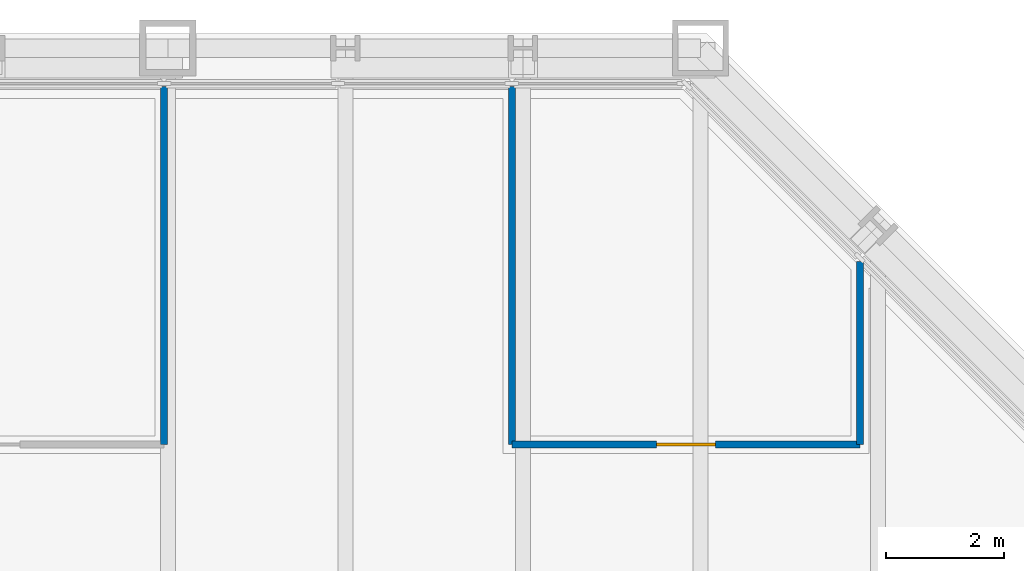
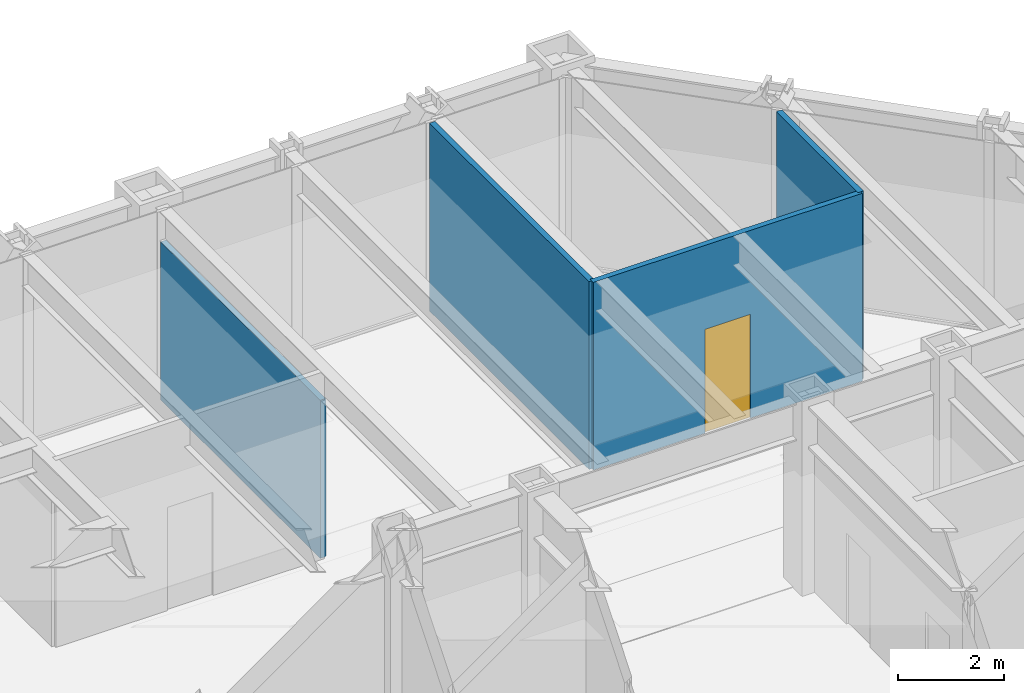
# One storey, part 12 of 26: 4 walls, 1 door, 1 opening.
"""IFC4 building model written with IfcOpenShell, lengths in metres."""

from ifc_helpers import new_model, si_unit, direction, frame, frame_2d, origin, place, context, subcontext, project, spatial, rectangle, extrude, material, layer, layer_set, type_object, element, fill, save


model = new_model("IFC4")

# Units and contexts
model_context = context("Model", 3, precision=1e-05, world=origin(), true_north=direction((0.0, 1.0)))
body_context = subcontext(model_context, "Body", "Model", "MODEL_VIEW")
ifc_project = project(units=[si_unit("LENGTHUNIT", "METRE"), si_unit("AREAUNIT", "SQUARE_METRE"), si_unit("VOLUMEUNIT", "CUBIC_METRE"), si_unit("PLANEANGLEUNIT", "RADIAN"), si_unit("MASSUNIT", "GRAM", prefix="KILO")], contexts=[model_context])

# Site, building, storey
site_placement = place(None, origin())
site = spatial("IfcSite", under=ifc_project, at=site_placement, CompositionType="ELEMENT")
building_placement = place(site_placement, origin())
building = spatial("IfcBuilding", under=site, at=building_placement, Name="Chuquiago Exchange Tower", CompositionType="ELEMENT")
storey_placement = place(building_placement, frame((0.0, 0.0, 102.300048828125)))
storey = spatial("IfcBuildingStorey", under=building, at=storey_placement, Name="L21", CompositionType="ELEMENT", Elevation=102.300048828125)

# Walls
ifc_material_1 = material(Name="Gypsum board on steel studs", Category="steel")
ifc_layer = layer(ifc_material_1, 0.1201171875)
ifc_layer_set = layer_set([ifc_layer], Name="W4 partition 120")
wall_type = type_object("IfcWallType", Name="W4 partition 120", PredefinedType="PARTITIONING", material=ifc_layer_set)
wall_1_placement = place(storey_placement, frame((17.93798828125, 44.347412109375, 0.0), z_axis=(0.0, 0.0, 1.0), x_axis=(0.0, -1.0, 0.0)))
element("IfcWall", 1, at=wall_1_placement, inside=storey, type_object=wall_type, Name="PW-L21-N01794", PredefinedType="PARTITIONING", context=body_context, shape_type="SweptSolid", body=[
    extrude(rectangle(XDim=6.04736328125, YDim=0.1201171875, at=frame_2d((3.023681640625, 0.0))), origin(), (0.0, 0.0, 1.0), 3.65673828125),
])
wall_2_placement = place(storey_placement, frame((23.813720703125, 44.347412109375, 0.0), z_axis=(0.0, 0.0, 1.0), x_axis=(0.0, -1.0, 0.0)))
element("IfcWall", 2, at=wall_2_placement, inside=storey, type_object=wall_type, Name="PW-L21-N02381", PredefinedType="PARTITIONING", context=body_context, shape_type="SweptSolid", body=[
    extrude(rectangle(XDim=6.04736328125, YDim=0.1201171875, at=frame_2d((3.023681640625, 0.0))), origin(), (0.0, 0.0, 1.0), 4.33984375),
])
wall_3_placement = place(storey_placement, frame((29.69287109375, 41.392578125, 0.0), z_axis=(0.0, 0.0, 1.0), x_axis=(0.0, -1.0, 0.0)))
element("IfcWall", 3, at=wall_3_placement, inside=storey, type_object=wall_type, Name="PW-L21-N02969", PredefinedType="PARTITIONING", context=body_context, shape_type="SweptSolid", body=[
    extrude(rectangle(XDim=3.092529296875, YDim=0.1201171875, at=frame_2d((1.54638671875, 0.0))), origin(), (0.0, 0.0, 1.0), 4.33984375),
])

# Wall, opening, door
wall_4_placement = place(storey_placement, frame((23.813720703125, 38.300048828125, 0.0), z_axis=(0.0, 0.0, 1.0), x_axis=(1.0, 0.0, 0.0)))
wall_4 = element("IfcWall", 4, at=wall_4_placement, inside=storey, type_object=wall_type, Name="PW-L21-NF02381", PredefinedType="PARTITIONING", context=body_context, shape_type="SweptSolid", body=[
    extrude(rectangle(XDim=5.879150390625, YDim=0.1201171875, at=frame_2d((2.939453125, 0.0))), origin(), (0.0, 0.0, 1.0), 4.33984375),
])
opening_placement = place(wall_4_placement, frame((2.439697265625, 0.0, 0.0)))
opening = element("IfcOpeningElement", 5, at=opening_placement, cuts=wall_4, Name="Opening L21-030", PredefinedType="OPENING", context=body_context, shape_type="SweptSolid", body=[
    extrude(rectangle(XDim=1.0, YDim=2.39990234375, at=frame_2d((0.5, 1.199951171875))), frame((0.0, 0.070068359375, 0.0), z_axis=(0.0, -1.0, 0.0), x_axis=(1.0, 0.0, 0.0)), (0.0, 0.0, 1.0), 0.14013671875),
])
ifc_material_2 = material(Name="Timber frame door, full height glazed panel", Category="wood")
door_type = type_object("IfcDoorType", Name="D14 glazed meeting room door 1000x2400", OperationType="SINGLE_SWING_LEFT", PredefinedType="DOOR", material=ifc_material_2)
door_placement = place(opening_placement, origin())
door = element("IfcDoor", 6, at=door_placement, inside=storey, type_object=door_type, Name="Conference room door", OperationType="SINGLE_SWING_RIGHT", OverallHeight=2.39990234375, OverallWidth=1.0, PredefinedType="DOOR", context=body_context, shape_type="SweptSolid", body=[
    extrude(rectangle(XDim=1.0, YDim=2.39990234375, at=frame_2d((0.5, 1.199951171875))), frame((0.0, 0.02490234375, 0.0), z_axis=(0.0, -1.0, 0.0), x_axis=(1.0, 0.0, 0.0)), (0.0, 0.0, 1.0), 0.050048828125),
])
fill(opening, door)

save(model, "model.ifc")
